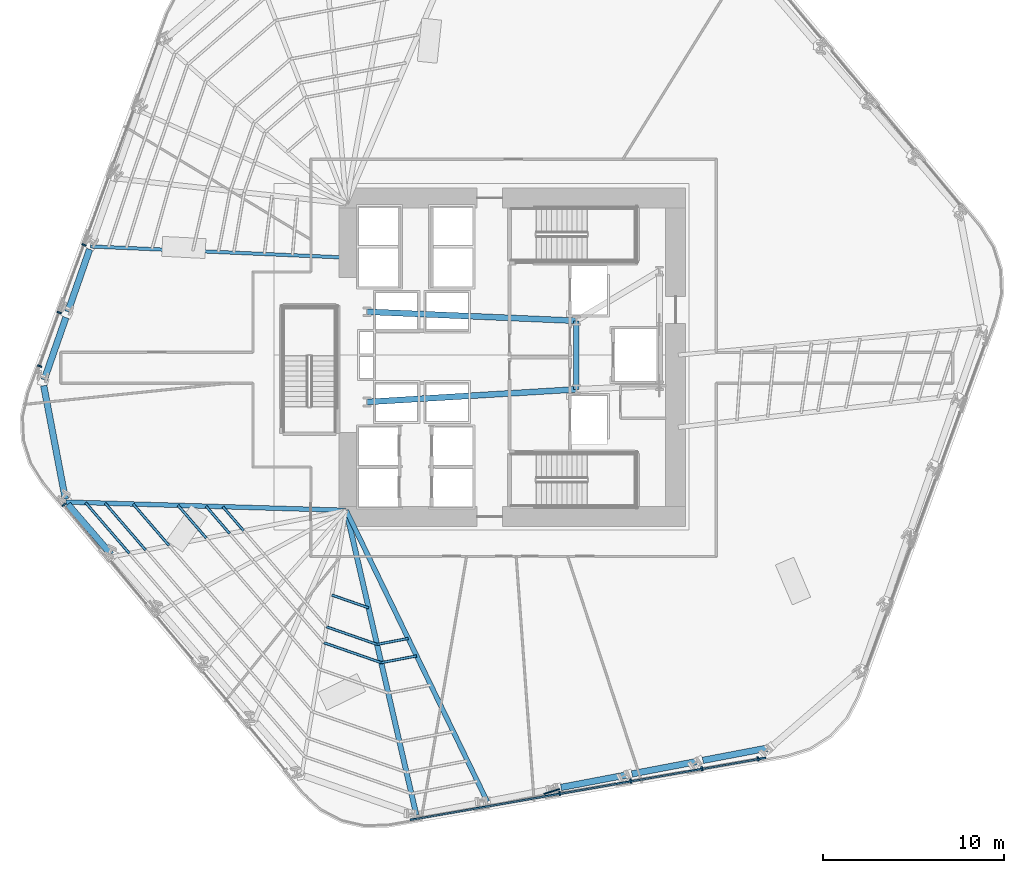
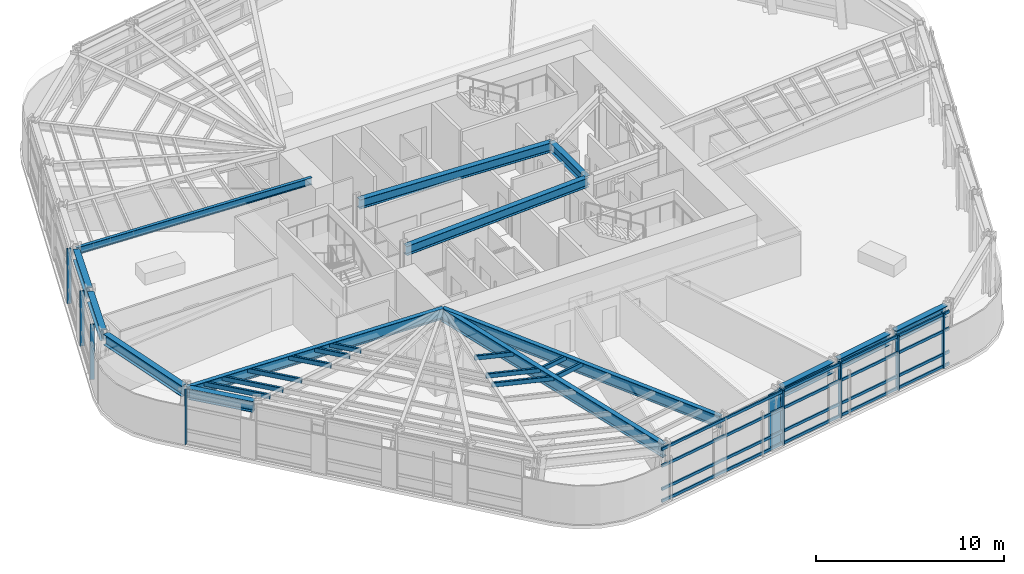
# One storey, part 3 of 16: 24 members, 14 beams, 3 elements without a shape of their own.
"""IFC4 building model written with IfcOpenShell, lengths in metres."""

from ifc_helpers import new_model, si_unit, direction, frame, origin, origin_2d, place, context, subcontext, project, spatial, rectangle, hollow_rectangle, i_section, extrude, material, layer, layer_set, material_profile, profile_set, type_object, element, aggregate, save


model = new_model("IFC4")

# Units and contexts
model_context = context("Model", 3, precision=1e-05, world=origin(), true_north=direction((0.0, 1.0)))
body_context = subcontext(model_context, "Body", "Model", "MODEL_VIEW")
ifc_project = project(units=[si_unit("LENGTHUNIT", "METRE"), si_unit("AREAUNIT", "SQUARE_METRE"), si_unit("VOLUMEUNIT", "CUBIC_METRE"), si_unit("PLANEANGLEUNIT", "RADIAN"), si_unit("MASSUNIT", "GRAM", prefix="KILO")], contexts=[model_context])

# Site, building, storey
site_placement = place(None, origin())
site = spatial("IfcSite", under=ifc_project, at=site_placement, CompositionType="ELEMENT")
building_placement = place(site_placement, origin())
building = spatial("IfcBuilding", under=site, at=building_placement, Name="Valkerne Bourse Tower", CompositionType="ELEMENT")
storey_placement = place(building_placement, frame((0.0, 0.0, 65.800048828125)))
storey = spatial("IfcBuildingStorey", under=building, at=storey_placement, Name="L16", CompositionType="ELEMENT", Elevation=65.800048828125)

# Beams
ifc_material_1 = material(Name="Steel ASTM A992", Category="steel")
ifc_material_profile_1 = material_profile(ifc_material_1, i_section(OverallWidth=0.1904296875, OverallDepth=0.457275390625, WebThickness=0.009033203125, FlangeThickness=0.014404296875, FilletRadius=0.01513671875, at=origin_2d()), Name="W18X50")
ifc_profile_set_1 = profile_set([ifc_material_profile_1], Name="Steel ASTM A992")
beam_type_1 = type_object("IfcBeamType", Name="BM-W18X50", PredefinedType="JOIST", material=ifc_profile_set_1)
beam_1_placement = place(storey_placement, frame((23.447509765625, 33.0166015625, 3.351318359375), z_axis=(0.999051958946, -0.043533703329, 0.0), x_axis=(0.043533703329, 0.999051958946, 0.0)))
element("IfcBeam", 1, at=beam_1_placement, inside=storey, type_object=beam_type_1, Name="L16 Radial Composite Floor Beam 15", PredefinedType="JOIST", context=body_context, shape_type="SweptSolid", body=[
    extrude(i_section(OverallWidth=0.1904296875, OverallDepth=0.457275390625, WebThickness=0.009033203125, FlangeThickness=0.014404296875, FilletRadius=0.01513671875, at=origin_2d()), origin(), (0.0, 0.0, 1.0), 14.166015625),
])
ifc_material_profile_2 = material_profile(ifc_material_1, i_section(OverallWidth=0.3251953125, OverallDepth=0.612060546875, WebThickness=0.0126953125, FlangeThickness=0.01904296875, FilletRadius=0.020263671875, at=origin_2d()), Name="W24X104")
ifc_profile_set_2 = profile_set([ifc_material_profile_2], Name="Steel ASTM A992")
beam_type_2 = type_object("IfcBeamType", Name="BM-W24X104", PredefinedType="BEAM", material=ifc_profile_set_2)
beam_2_placement = place(storey_placement, frame((50.35009765625, 25.10009765625, 3.27392578125), z_axis=(0.0, 1.0, 0.0), x_axis=(-1.0, 0.0, 0.0)))
element("IfcBeam", 2, at=beam_2_placement, inside=storey, type_object=beam_type_2, Name="L16 Core Frame Girder CG-CE", PredefinedType="BEAM", context=body_context, shape_type="SweptSolid", body=[
    extrude(i_section(OverallWidth=0.3251953125, OverallDepth=0.612060546875, WebThickness=0.0126953125, FlangeThickness=0.01904296875, FilletRadius=0.020263671875, at=origin_2d()), origin(), (0.0, 0.0, 1.0), 3.7998046875),
])
beam_3_placement = place(storey_placement, frame((38.75, 24.39990234375, 3.27392578125), z_axis=(0.998183228389, 0.060251494276, 0.0), x_axis=(-0.060251494276, 0.998183228389, 0.0)))
element("IfcBeam", 3, at=beam_3_placement, inside=storey, type_object=beam_type_2, Name="L16 Core Frame Girder CG-SW", PredefinedType="BEAM", context=body_context, shape_type="SweptSolid", body=[
    extrude(i_section(OverallWidth=0.3251953125, OverallDepth=0.612060546875, WebThickness=0.0126953125, FlangeThickness=0.01904296875, FilletRadius=0.020263671875, at=origin_2d()), origin(), (0.0, 0.0, 1.0), 11.62109375),
])
beam_4_placement = place(storey_placement, frame((38.75, 29.39990234375, 3.27392578125), z_axis=(0.999072354402, -0.043063101019, 0.0), x_axis=(0.043063101019, 0.999072354402, 0.0)))
element("IfcBeam", 4, at=beam_4_placement, inside=storey, type_object=beam_type_2, Name="L16 Core Frame Girder CG-NW", PredefinedType="BEAM", context=body_context, shape_type="SweptSolid", body=[
    extrude(i_section(OverallWidth=0.3251953125, OverallDepth=0.612060546875, WebThickness=0.0126953125, FlangeThickness=0.01904296875, FilletRadius=0.020263671875, at=origin_2d()), origin(), (0.0, 0.0, 1.0), 11.61083984375),
])
ifc_material_profile_3 = material_profile(ifc_material_1, i_section(OverallWidth=0.255859375, OverallDepth=0.693359375, WebThickness=0.014404296875, FlangeThickness=0.023681640625, FilletRadius=0.02294921875, at=origin_2d()), Name="W27X114")
ifc_profile_set_3 = profile_set([ifc_material_profile_3], Name="Steel ASTM A992")
beam_type_3 = type_object("IfcBeamType", Name="BM-W27X114", PredefinedType="BEAM", material=ifc_profile_set_3)
beam_5_placement = place(storey_placement, frame((22.080078125, 18.859130859375, 3.233154296875), z_axis=(0.999562520097, -0.029576484195, 0.0), x_axis=(0.029576484195, 0.999562520097, 0.0)))
element("IfcBeam", 5, at=beam_5_placement, inside=storey, type_object=beam_type_3, Name="L16 Radial Composite Floor Beam 18", PredefinedType="BEAM", context=body_context, shape_type="SweptSolid", body=[
    extrude(i_section(OverallWidth=0.255859375, OverallDepth=0.693359375, WebThickness=0.014404296875, FlangeThickness=0.023681640625, FilletRadius=0.02294921875, at=origin_2d()), origin(), (0.0, 0.0, 1.0), 15.52685546875),
])
ifc_material_profile_4 = material_profile(ifc_material_1, i_section(OverallWidth=0.358154296875, OverallDepth=0.7060546875, WebThickness=0.018310546875, FlangeThickness=0.0302734375, FilletRadius=0.02294921875, at=origin_2d()), Name="W27X178")
ifc_profile_set_4 = profile_set([ifc_material_profile_4], Name="Steel ASTM A992")
beam_type_4 = type_object("IfcBeamType", Name="BM-W27X178", PredefinedType="SPANDREL", material=ifc_profile_set_4)
for number, where, z_axis, x_axis, name in (
    (6, (23.3916015625, 32.85595703125, 3.226806640625), (-0.328880615569, -0.94437150566, 0.0), (0.94437150566, -0.328880615569, 0.0), "L16 Hexagonal Spandrel Ring Beam 15"),
    (7, (22.077392578125, 29.082275390625, 3.226806640625), (-0.328880615569, -0.94437150566, 0.0), (0.94437150566, -0.328880615569, 0.0), "L16 Hexagonal Spandrel Ring Beam 16"),
):
    element("IfcBeam", number, at=place(storey_placement, frame(where, z_axis=z_axis, x_axis=x_axis)), inside=storey, type_object=beam_type_4, Name=name, PredefinedType="SPANDREL", context=body_context, shape_type="SweptSolid", body=[
        extrude(i_section(OverallWidth=0.358154296875, OverallDepth=0.7060546875, WebThickness=0.018310546875, FlangeThickness=0.0302734375, FilletRadius=0.02294921875, at=origin_2d()), origin(), (0.0, 0.0, 1.0), 3.656005859375),
    ])
beam_6_placement = place(storey_placement, frame((20.85107421875, 25.302001953125, 3.226806640625), z_axis=(0.18735617752, -0.982292045547, 0.0), x_axis=(0.982292045547, 0.18735617752, 0.0)))
element("IfcBeam", 8, at=beam_6_placement, inside=storey, type_object=beam_type_4, Name="L16 Hexagonal Spandrel Ring Beam 17", PredefinedType="SPANDREL", context=body_context, shape_type="SweptSolid", body=[
    extrude(i_section(OverallWidth=0.358154296875, OverallDepth=0.7060546875, WebThickness=0.018310546875, FlangeThickness=0.0302734375, FilletRadius=0.02294921875, at=origin_2d()), origin(), (0.0, 0.0, 1.0), 6.388916015625),
])
for number, where, z_axis, x_axis, name in (
    (9, (22.191162109375, 18.73046875, 3.226806640625), (0.653421647996, -0.756994154489, 0.0), (0.756994154489, 0.653421647996, 0.0), "L16 Hexagonal Spandrel Ring Beam 18"),
    (10, (49.507568359375, 3.051025390625, 3.226806640625), (0.982288265648, 0.187375994113, 0.0), (-0.187375994113, 0.982288265648, 0.0), "L16 Hexagonal Spandrel Ring Beam 26"),
):
    element("IfcBeam", number, at=place(storey_placement, frame(where, z_axis=z_axis, x_axis=x_axis)), inside=storey, type_object=beam_type_4, Name=name, PredefinedType="SPANDREL", context=body_context, shape_type="SweptSolid", body=[
        extrude(i_section(OverallWidth=0.358154296875, OverallDepth=0.7060546875, WebThickness=0.018310546875, FlangeThickness=0.0302734375, FilletRadius=0.02294921875, at=origin_2d()), origin(), (0.0, 0.0, 1.0), 3.656005859375),
    ])
beam_7_placement = place(storey_placement, frame((53.432861328125, 3.7998046875, 3.226806640625), z_axis=(0.982298211292, 0.187323848166, 0.0), x_axis=(-0.187323848166, 0.982298211292, 0.0)))
element("IfcBeam", 11, at=beam_7_placement, inside=storey, type_object=beam_type_4, Name="L16 Hexagonal Spandrel Ring Beam 27", PredefinedType="SPANDREL", context=body_context, shape_type="SweptSolid", body=[
    extrude(i_section(OverallWidth=0.358154296875, OverallDepth=0.7060546875, WebThickness=0.018310546875, FlangeThickness=0.0302734375, FilletRadius=0.02294921875, at=origin_2d()), origin(), (0.0, 0.0, 1.0), 3.65576171875),
])
beam_8_placement = place(storey_placement, frame((57.35791015625, 4.548583984375, 3.226806640625), z_axis=(0.982300554461, 0.187311560521, 0.0), x_axis=(-0.187311560521, 0.982300554461, 0.0)))
element("IfcBeam", 12, at=beam_8_placement, inside=storey, type_object=beam_type_4, Name="L16 Hexagonal Spandrel Ring Beam 28", PredefinedType="SPANDREL", context=body_context, shape_type="SweptSolid", body=[
    extrude(i_section(OverallWidth=0.358154296875, OverallDepth=0.7060546875, WebThickness=0.018310546875, FlangeThickness=0.0302734375, FilletRadius=0.02294921875, at=origin_2d()), origin(), (0.0, 0.0, 1.0), 3.656005859375),
])
ifc_material_profile_5 = material_profile(ifc_material_1, i_section(OverallWidth=0.26806640625, OverallDepth=0.76953125, WebThickness=0.015625, FlangeThickness=0.025390625, FilletRadius=0.025390625, at=origin_2d()), Name="W30X132")
ifc_profile_set_5 = profile_set([ifc_material_profile_5], Name="Steel ASTM A992")
beam_type_5 = type_object("IfcBeamType", Name="BM-W30X132", PredefinedType="BEAM", material=ifc_profile_set_5)
beam_9_placement = place(storey_placement, frame((45.415283203125, 2.270263671875, 3.195068359375), z_axis=(-0.436036538763, 0.899928962121, 0.0), x_axis=(-0.899928962121, -0.436036538763, 0.0)))
element("IfcBeam", 13, at=beam_9_placement, inside=storey, type_object=beam_type_5, Name="L16 Radial Composite Floor Beam 25", PredefinedType="BEAM", context=body_context, shape_type="SweptSolid", body=[
    extrude(i_section(OverallWidth=0.26806640625, OverallDepth=0.76953125, WebThickness=0.015625, FlangeThickness=0.025390625, FilletRadius=0.025390625, at=origin_2d()), origin(), (0.0, 0.0, 1.0), 17.92333984375),
])
ifc_material_profile_6 = material_profile(ifc_material_1, i_section(OverallWidth=0.2919921875, OverallDepth=0.8583984375, WebThickness=0.01708984375, FlangeThickness=0.031005859375, FilletRadius=0.025390625, at=origin_2d()), Name="W33X169")
ifc_profile_set_6 = profile_set([ifc_material_profile_6], Name="Steel ASTM A992")
beam_type_6 = type_object("IfcBeamType", Name="BM-W33X169", PredefinedType="BEAM", material=ifc_profile_set_6)
beam_10_placement = place(storey_placement, frame((41.489990234375, 1.521484375, 3.150634765625), z_axis=(-0.224578464844, 0.974456008821, 0.0), x_axis=(-0.974456008821, -0.224578464844, 0.0)))
element("IfcBeam", 14, at=beam_10_placement, inside=storey, type_object=beam_type_6, Name="L16 Radial Composite Floor Beam 24", PredefinedType="BEAM", context=body_context, shape_type="SweptSolid", body=[
    extrude(i_section(OverallWidth=0.2919921875, OverallDepth=0.8583984375, WebThickness=0.01708984375, FlangeThickness=0.031005859375, FilletRadius=0.025390625, at=origin_2d()), origin(), (0.0, 0.0, 1.0), 17.32080078125),
])

# Curtain wall, members
ifc_material_2 = material(Name="Aluminium AA 6063-T6", Category="aluminium")
ifc_layer = layer(ifc_material_2, 0.22509765625)
ifc_layer_set = layer_set([ifc_layer], Name="Aluminium AA 6063-T6")
curtain_wall_type = type_object("IfcCurtainWallType", Name="CW-01", PredefinedType="NOTDEFINED", material=ifc_layer_set)
curtain_wall_1_placement = place(storey_placement, origin())
curtain_wall_1 = element("IfcCurtainWall", 15, at=curtain_wall_1_placement, inside=storey, type_object=curtain_wall_type, Name="L16 Hexagonal Stick Curtain Wall Face 3", PredefinedType="NOTDEFINED")
ifc_material_profile_7 = material_profile(ifc_material_2, rectangle(XDim=0.090087890625, YDim=0.239990234375, at=origin_2d()), Name="CWM-90X240")
ifc_profile_set_7 = profile_set([ifc_material_profile_7], Name="Aluminium AA 6063-T6")
member_type_1 = type_object("IfcMemberType", Name="CW-MUL-240X90", PredefinedType="MULLION", material=ifc_profile_set_7)
member_1_placement = place(storey_placement, frame((23.081298828125, 33.10498046875, 0.0), z_axis=(0.0, 0.0, 1.0), x_axis=(-0.343669275067, -0.939090746081, 0.0)))
member_1 = element("IfcMember", 16, at=member_1_placement, type_object=member_type_1, Name="CW-L16-F3 Jamb Mullion 03A", PredefinedType="MULLION", context=body_context, shape_type="SweptSolid", body=[
    extrude(rectangle(XDim=0.090087890625, YDim=0.239990234375, at=origin_2d()), origin(), (0.0, 0.0, 1.0), 3.579833984375),
])
member_2_placement = place(storey_placement, frame((21.7080078125, 29.352294921875, 0.0), z_axis=(0.0, 0.0, 1.0), x_axis=(-0.343661198738, -0.939093701652, 0.0)))
member_2 = element("IfcMember", 17, at=member_2_placement, type_object=member_type_1, Name="CW-L16-F3 Jamb Mullion 04A", PredefinedType="MULLION", context=body_context, shape_type="SweptSolid", body=[
    extrude(rectangle(XDim=0.090087890625, YDim=0.239990234375, at=origin_2d()), origin(), (0.0, 0.0, 1.0), 3.579833984375),
])
member_3_placement = place(storey_placement, frame((20.623291015625, 26.388671875, 0.0), z_axis=(0.0, 0.0, 1.0), x_axis=(-0.343661198738, -0.939093701652, 0.0)))
member_3 = element("IfcMember", 18, at=member_3_placement, type_object=member_type_1, Name="CW-L16-F3 Jamb Mullion 04B", PredefinedType="MULLION", context=body_context, shape_type="SweptSolid", body=[
    extrude(rectangle(XDim=0.090087890625, YDim=0.239990234375, at=origin_2d()), origin(), (0.0, 0.0, 1.0), 3.579833984375),
])
aggregate(curtain_wall_1, [member_1, member_2, member_3])

# Curtain wall, member
curtain_wall_2_placement = place(storey_placement, origin())
curtain_wall_2 = element("IfcCurtainWall", 19, at=curtain_wall_2_placement, inside=storey, type_object=curtain_wall_type, Name="L16 Hexagonal Stick Curtain Wall Face 4", PredefinedType="NOTDEFINED")
member_4_placement = place(storey_placement, frame((21.9638671875, 18.708251953125, 0.0), z_axis=(0.0, 0.0, 1.0), x_axis=(0.641458547713, -0.767157696674, 0.0)))
member_4 = element("IfcMember", 20, at=member_4_placement, type_object=member_type_1, Name="CW-L16-F4 Jamb Mullion 00A", PredefinedType="MULLION", context=body_context, shape_type="SweptSolid", body=[
    extrude(rectangle(XDim=0.090087890625, YDim=0.239990234375, at=origin_2d()), origin(), (0.0, 0.0, 1.0), 3.579833984375),
])
aggregate(curtain_wall_2, [member_4])

# Curtain wall, members
curtain_wall_3_placement = place(storey_placement, origin())
curtain_wall_3 = element("IfcCurtainWall", 21, at=curtain_wall_3_placement, inside=storey, type_object=curtain_wall_type, Name="L16 Hexagonal Stick Curtain Wall Face 5", PredefinedType="NOTDEFINED")
member_5_placement = place(storey_placement, frame((49.435791015625, 2.719482421875, 0.0), z_axis=(0.0, 0.0, 1.0), x_axis=(0.985106326518, 0.171946286536, 0.0)))
member_5 = element("IfcMember", 22, at=member_5_placement, type_object=member_type_1, Name="CW-L16-F5 Jamb Mullion 02A", PredefinedType="MULLION", context=body_context, shape_type="SweptSolid", body=[
    extrude(rectangle(XDim=0.090087890625, YDim=0.239990234375, at=origin_2d()), origin(), (0.0, 0.0, 1.0), 3.579833984375),
])
member_6_placement = place(storey_placement, frame((53.372314453125, 3.406494140625, 0.0), z_axis=(0.0, 0.0, 1.0), x_axis=(0.985110565094, 0.171922001326, 0.0)))
member_6 = element("IfcMember", 23, at=member_6_placement, type_object=member_type_1, Name="CW-L16-F5 Jamb Mullion 03A", PredefinedType="MULLION", context=body_context, shape_type="SweptSolid", body=[
    extrude(rectangle(XDim=0.090087890625, YDim=0.239990234375, at=origin_2d()), origin(), (0.0, 0.0, 1.0), 3.579833984375),
])
member_7_placement = place(storey_placement, frame((57.308837890625, 4.093505859375, 0.0), z_axis=(0.0, 0.0, 1.0), x_axis=(0.985110565094, 0.171922001326, 0.0)))
member_7 = element("IfcMember", 24, at=member_7_placement, type_object=member_type_1, Name="CW-L16-F5 Jamb Mullion 04A", PredefinedType="MULLION", context=body_context, shape_type="SweptSolid", body=[
    extrude(rectangle(XDim=0.090087890625, YDim=0.239990234375, at=origin_2d()), origin(), (0.0, 0.0, 1.0), 3.579833984375),
])
member_8_placement = place(storey_placement, frame((60.417724609375, 4.635986328125, 0.0), z_axis=(0.0, 0.0, 1.0), x_axis=(0.985110565094, 0.171922001326, 0.0)))
member_8 = element("IfcMember", 25, at=member_8_placement, type_object=member_type_1, Name="CW-L16-F5 Jamb Mullion 04B", PredefinedType="MULLION", context=body_context, shape_type="SweptSolid", body=[
    extrude(rectangle(XDim=0.090087890625, YDim=0.239990234375, at=origin_2d()), origin(), (0.0, 0.0, 1.0), 3.579833984375),
])
ifc_material_profile_8 = material_profile(ifc_material_2, rectangle(XDim=0.090087890625, YDim=0.179931640625, at=origin_2d()), Name="CWT-90X180")
ifc_profile_set_8 = profile_set([ifc_material_profile_8], Name="Aluminium AA 6063-T6")
member_type_2 = type_object("IfcMemberType", Name="CW-TRN-180X90", PredefinedType="USERDEFINED", material=ifc_profile_set_8)
member_9_placement = place(storey_placement, frame((41.152587890625, 1.25341796875, 0.119873046875), z_axis=(0.985107810996, 0.171937781522, 0.0), x_axis=(-0.171937781522, 0.985107810996, 0.0)))
member_9 = element("IfcMember", 26, at=member_9_placement, type_object=member_type_2, Name="CW-L16-F5 Continuous Face Transom 1", ObjectType="TRANSOM", PredefinedType="USERDEFINED", context=body_context, shape_type="SweptSolid", body=[
    extrude(rectangle(XDim=0.090087890625, YDim=0.179931640625, at=origin_2d()), origin(), (0.0, 0.0, 1.0), 19.97998046875),
])
member_10_placement = place(storey_placement, frame((41.152587890625, 1.25341796875, 0.89990234375), z_axis=(0.985107810996, 0.171937781522, 0.0), x_axis=(-0.171937781522, 0.985107810996, 0.0)))
member_10 = element("IfcMember", 27, at=member_10_placement, type_object=member_type_2, Name="CW-L16-F5 Continuous Face Transom 2", ObjectType="TRANSOM", PredefinedType="USERDEFINED", context=body_context, shape_type="SweptSolid", body=[
    extrude(rectangle(XDim=0.090087890625, YDim=0.179931640625, at=origin_2d()), origin(), (0.0, 0.0, 1.0), 19.97998046875),
])
member_11_placement = place(storey_placement, frame((41.152587890625, 1.25341796875, 2.39990234375), z_axis=(0.985107810996, 0.171937781522, 0.0), x_axis=(-0.171937781522, 0.985107810996, 0.0)))
member_11 = element("IfcMember", 28, at=member_11_placement, type_object=member_type_2, Name="CW-L16-F5 Continuous Face Transom 3", ObjectType="TRANSOM", PredefinedType="USERDEFINED", context=body_context, shape_type="SweptSolid", body=[
    extrude(rectangle(XDim=0.090087890625, YDim=0.179931640625, at=origin_2d()), origin(), (0.0, 0.0, 1.0), 19.97998046875),
])
member_12_placement = place(storey_placement, frame((41.152587890625, 1.25341796875, 3.5), z_axis=(0.985107810996, 0.171937781522, 0.0), x_axis=(-0.171937781522, 0.985107810996, 0.0)))
member_12 = element("IfcMember", 29, at=member_12_placement, type_object=member_type_2, Name="CW-L16-F5 Continuous Face Transom 4", ObjectType="TRANSOM", PredefinedType="USERDEFINED", context=body_context, shape_type="SweptSolid", body=[
    extrude(rectangle(XDim=0.090087890625, YDim=0.179931640625, at=origin_2d()), origin(), (0.0, 0.0, 1.0), 19.97998046875),
])
aggregate(curtain_wall_3, [member_9, member_10, member_11, member_12, member_5, member_6, member_7, member_8])

# Members
ifc_material_3 = material(Name="Bronze Anodised Aluminium AA 6063-T6", Category="aluminium")
ifc_material_profile_9 = material_profile(ifc_material_3, rectangle(XDim=0.070068359375, YDim=0.89990234375, at=origin_2d()), Name="FIN-70X900")
ifc_profile_set_9 = profile_set([ifc_material_profile_9], Name="Bronze Anodised Aluminium AA 6063-T6")
member_type_3 = type_object("IfcMemberType", Name="FIN-SOLAR-900", PredefinedType="USERDEFINED", material=ifc_profile_set_9)
member_13_placement = place(storey_placement, frame((48.9912109375, 2.824462890625, 0.00390625), z_axis=(0.0, 0.0, 1.0), x_axis=(0.304193239201, -0.952610347007, 0.0)))
element("IfcMember", 30, at=member_13_placement, inside=storey, type_object=member_type_3, Name="L16 Bronze Anodised Solar Fin F5-02", ObjectType="SOLAR_FIN", PredefinedType="USERDEFINED", context=body_context, shape_type="SweptSolid", body=[
    extrude(rectangle(XDim=0.070068359375, YDim=0.89990234375, at=origin_2d()), origin(), (0.0, 0.0, 1.0), 3.572021484375),
])
ifc_material_4 = material(Name="Steel ASTM A500 Grade C", Category="steel")
ifc_material_profile_10 = material_profile(ifc_material_4, hollow_rectangle(XDim=0.14990234375, YDim=0.300048828125, WallThickness=0.012451171875, OuterFilletRadius=0.02490234375, at=origin_2d()), Name="HSS300X150X12.5")
ifc_profile_set_10 = profile_set([ifc_material_profile_10], Name="Steel ASTM A500 Grade C")
member_type_4 = type_object("IfcMemberType", Name="MBR-HSS300X150X12.5", PredefinedType="PURLIN", material=ifc_profile_set_10)
member_14_placement = place(storey_placement, frame((36.811279296875, 13.70703125, 3.419921875), z_axis=(0.944357518008, -0.328920777973, 0.0), x_axis=(0.328920777973, 0.944357518008, 0.0)))
element("IfcMember", 31, at=member_14_placement, inside=storey, type_object=member_type_4, Name="L16 Secondary Composite Floor Purlin I-23", PredefinedType="PURLIN", context=body_context, shape_type="SweptSolid", body=[
    extrude(hollow_rectangle(XDim=0.14990234375, YDim=0.300048828125, WallThickness=0.012451171875, OuterFilletRadius=0.02490234375, at=origin_2d()), origin(), (0.0, 0.0, 1.0), 2.1533203125),
])
member_15_placement = place(storey_placement, frame((30.771240234375, 18.60205078125, 3.419921875), z_axis=(0.653417408619, -0.75699781381, 0.0), x_axis=(0.75699781381, 0.653417408619, 0.0)))
element("IfcMember", 32, at=member_15_placement, inside=storey, type_object=member_type_4, Name="L16 Secondary Composite Floor Purlin K-18", PredefinedType="PURLIN", context=body_context, shape_type="SweptSolid", body=[
    extrude(hollow_rectangle(XDim=0.14990234375, YDim=0.300048828125, WallThickness=0.012451171875, OuterFilletRadius=0.02490234375, at=origin_2d()), origin(), (0.0, 0.0, 1.0), 1.75830078125),
])
member_16_placement = place(storey_placement, frame((36.515625, 11.947265625, 3.419921875), z_axis=(0.944350970514, -0.328939575741, 0.0), x_axis=(0.328939575741, 0.944350970514, 0.0)))
element("IfcMember", 33, at=member_16_placement, inside=storey, type_object=member_type_4, Name="L16 Secondary Composite Floor Purlin K-23", PredefinedType="PURLIN", context=body_context, shape_type="SweptSolid", body=[
    extrude(hollow_rectangle(XDim=0.14990234375, YDim=0.300048828125, WallThickness=0.012451171875, OuterFilletRadius=0.02490234375, at=origin_2d()), origin(), (0.0, 0.0, 1.0), 2.960693359375),
])
member_17_placement = place(storey_placement, frame((39.3115234375, 10.973388671875, 3.419921875), z_axis=(0.982277754085, 0.187431090885, 0.0), x_axis=(-0.187431090885, 0.982277754085, 0.0)))
element("IfcMember", 34, at=member_17_placement, inside=storey, type_object=member_type_4, Name="L16 Secondary Composite Floor Purlin K-24", PredefinedType="PURLIN", context=body_context, shape_type="SweptSolid", body=[
    extrude(hollow_rectangle(XDim=0.14990234375, YDim=0.300048828125, WallThickness=0.012451171875, OuterFilletRadius=0.02490234375, at=origin_2d()), origin(), (0.0, 0.0, 1.0), 1.758544921875),
])
member_18_placement = place(storey_placement, frame((29.840087890625, 18.629638671875, 3.419921875), z_axis=(0.653393955268, -0.757018057393, 0.0), x_axis=(0.757018057393, 0.653393955268, 0.0)))
element("IfcMember", 35, at=member_18_placement, inside=storey, type_object=member_type_4, Name="L16 Secondary Composite Floor Purlin M-18", PredefinedType="PURLIN", context=body_context, shape_type="SweptSolid", body=[
    extrude(hollow_rectangle(XDim=0.14990234375, YDim=0.300048828125, WallThickness=0.012451171875, OuterFilletRadius=0.02490234375, at=origin_2d()), origin(), (0.0, 0.0, 1.0), 1.997802734375),
])
member_19_placement = place(storey_placement, frame((36.36767578125, 11.067138671875, 3.419921875), z_axis=(0.944383187613, -0.328847069248, 0.0), x_axis=(0.328847069248, 0.944383187613, 0.0)))
element("IfcMember", 36, at=member_19_placement, inside=storey, type_object=member_type_4, Name="L16 Secondary Composite Floor Purlin M-23", PredefinedType="PURLIN", context=body_context, shape_type="SweptSolid", body=[
    extrude(hollow_rectangle(XDim=0.14990234375, YDim=0.300048828125, WallThickness=0.012451171875, OuterFilletRadius=0.02490234375, at=origin_2d()), origin(), (0.0, 0.0, 1.0), 3.364501953125),
])
member_20_placement = place(storey_placement, frame((39.545166015625, 9.960693359375, 3.419921875), z_axis=(0.982276482196, 0.187437756399, 0.0), x_axis=(-0.187437756399, 0.982276482196, 0.0)))
element("IfcMember", 37, at=member_20_placement, inside=storey, type_object=member_type_4, Name="L16 Secondary Composite Floor Purlin M-24", PredefinedType="PURLIN", context=body_context, shape_type="SweptSolid", body=[
    extrude(hollow_rectangle(XDim=0.14990234375, YDim=0.300048828125, WallThickness=0.012451171875, OuterFilletRadius=0.02490234375, at=origin_2d()), origin(), (0.0, 0.0, 1.0), 1.998046875),
])
member_21_placement = place(storey_placement, frame((25.804931640625, 18.7490234375, 3.419921875), z_axis=(0.653435660254, -0.756982059172, 0.0), x_axis=(0.756982059172, 0.653435660254, 0.0)))
element("IfcMember", 38, at=member_21_placement, inside=storey, type_object=member_type_4, Name="L16 Secondary Composite Floor Purlin O-18", PredefinedType="PURLIN", context=body_context, shape_type="SweptSolid", body=[
    extrude(hollow_rectangle(XDim=0.14990234375, YDim=0.300048828125, WallThickness=0.012451171875, OuterFilletRadius=0.02490234375, at=origin_2d()), origin(), (0.0, 0.0, 1.0), 3.036865234375),
])
member_22_placement = place(storey_placement, frame((28.2880859375, 18.675537109375, 3.419921875), z_axis=(0.653428967629, -0.756987836272, 0.0), x_axis=(0.756987836272, 0.653428967629, 0.0)))
element("IfcMember", 39, at=member_22_placement, inside=storey, type_object=member_type_4, Name="L16 Secondary Composite Floor Purlin Z-18", PredefinedType="PURLIN", context=body_context, shape_type="SweptSolid", body=[
    extrude(hollow_rectangle(XDim=0.14990234375, YDim=0.300048828125, WallThickness=0.012451171875, OuterFilletRadius=0.02490234375, at=origin_2d()), origin(), (0.0, 0.0, 1.0), 2.397705078125),
])
member_23_placement = place(storey_placement, frame((24.2529296875, 18.794921875, 3.419921875), z_axis=(0.653414526154, -0.757000301856, 0.0), x_axis=(0.757000301856, 0.653414526154, 0.0)))
element("IfcMember", 40, at=member_23_placement, inside=storey, type_object=member_type_4, Name="L16 Secondary Composite Floor Purlin T-18", PredefinedType="PURLIN", context=body_context, shape_type="SweptSolid", body=[
    extrude(hollow_rectangle(XDim=0.14990234375, YDim=0.300048828125, WallThickness=0.012451171875, OuterFilletRadius=0.02490234375, at=origin_2d()), origin(), (0.0, 0.0, 1.0), 3.436279296875),
])
member_24_placement = place(storey_placement, frame((23.16650390625, 18.8271484375, 3.419921875), z_axis=(0.6534060428, -0.75700762429, 0.0), x_axis=(0.75700762429, 0.6534060428, 0.0)))
element("IfcMember", 41, at=member_24_placement, inside=storey, type_object=member_type_4, Name="L16 Secondary Composite Floor Purlin U-18", PredefinedType="PURLIN", context=body_context, shape_type="SweptSolid", body=[
    extrude(hollow_rectangle(XDim=0.14990234375, YDim=0.300048828125, WallThickness=0.012451171875, OuterFilletRadius=0.02490234375, at=origin_2d()), origin(), (0.0, 0.0, 1.0), 3.71630859375),
])

save(model, "model.ifc")
